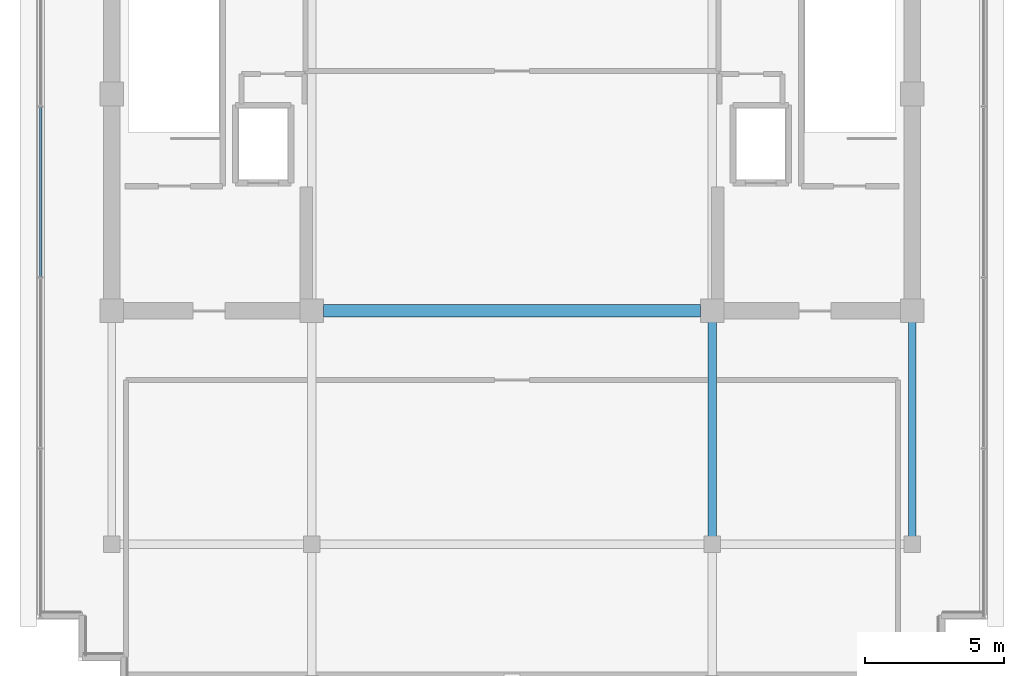
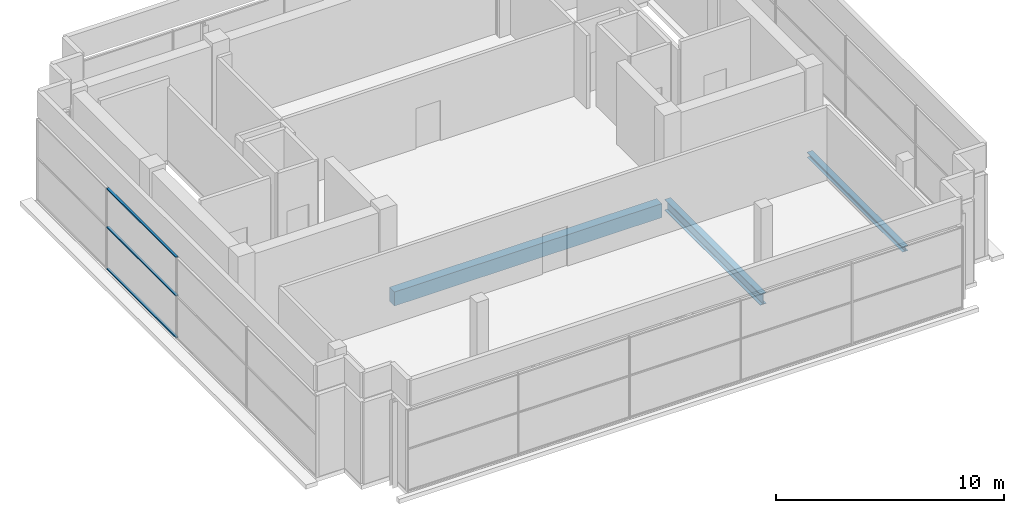
# One storey, part 10 of 22: 3 beams, 3 members, 1 element without a shape of its own.
"""IFC4 building model written with IfcOpenShell, lengths in metres."""

from ifc_helpers import new_model, si_unit, direction, frame, origin, origin_2d, place, context, subcontext, project, spatial, rectangle, hollow_rectangle, i_section, extrude, source, transform, mapped, material, layer, layer_set, material_profile, profile_set, type_object, element, aggregate, save


model = new_model("IFC4")

# Units and contexts
model_context = context("Model", 3, precision=1e-05, world=origin(), true_north=direction((0.0, 1.0)))
body_context = subcontext(model_context, "Body", "Model", "MODEL_VIEW")
ifc_project = project(units=[si_unit("LENGTHUNIT", "METRE"), si_unit("AREAUNIT", "SQUARE_METRE"), si_unit("VOLUMEUNIT", "CUBIC_METRE"), si_unit("PLANEANGLEUNIT", "RADIAN"), si_unit("MASSUNIT", "GRAM", prefix="KILO")], contexts=[model_context])

# Site, building, storey
site_placement = place(None, origin())
site = spatial("IfcSite", under=ifc_project, at=site_placement, CompositionType="ELEMENT")
building_placement = place(site_placement, origin())
building = spatial("IfcBuilding", under=site, at=building_placement, Name="Zarnakvel Exchange Tower", CompositionType="ELEMENT")
storey_placement = place(building_placement, frame((0.0, 0.0, 299.199951171875)))
storey = spatial("IfcBuildingStorey", under=building, at=storey_placement, Name="Crown L83", CompositionType="ELEMENT", Elevation=299.199951171875)

# Beams
ifc_material_1 = material(Name="Concrete C50/60", Category="concrete")
ifc_material_profile_1 = material_profile(ifc_material_1, rectangle(XDim=0.449951171875, YDim=0.75, at=origin_2d()))
ifc_profile_set_1 = profile_set([ifc_material_profile_1], Name="Concrete C50/60")
beam_type_1 = type_object("IfcBeamType", Name="CB-03", PredefinedType="LINTEL", material=ifc_profile_set_1)
beam_1_placement = place(storey_placement, frame((-6.77490234375, -1.199951171875, -0.594970703125), z_axis=(1.0, 0.0, 0.0), x_axis=(0.0, 1.0, 0.0)))
element("IfcBeam", 1, at=beam_1_placement, inside=storey, type_object=beam_type_1, Name="Crown L83 Rear Core South Coupling Beam (CB-03)", PredefinedType="LINTEL", context=body_context, shape_type="SweptSolid", body=[
    extrude(rectangle(XDim=0.449951171875, YDim=0.75, at=origin_2d()), origin(), (0.0, 0.0, 1.0), 13.5498046875),
])
ifc_material_2 = material(Name="Steel S355", Category="steel")
ifc_material_profile_2 = material_profile(ifc_material_2, i_section(OverallWidth=0.300048828125, OverallDepth=0.60009765625, WebThickness=0.015380859375, FlangeThickness=0.030029296875, FilletRadius=0.027099609375, at=origin_2d()))
ifc_profile_set_2 = profile_set([ifc_material_profile_2], Name="Steel S355")
beam_type_2 = type_object("IfcBeamType", Name="G-04", PredefinedType="BEAM", material=ifc_profile_set_2)
beam_2_placement = place(storey_placement, frame((7.199951171875, -9.60009765625, -0.52001953125), z_axis=(0.0, 1.0, 0.0), x_axis=(-1.0, 0.0, 0.0)))
element("IfcBeam", 2, at=beam_2_placement, inside=storey, type_object=beam_type_2, Name="Crown L83 Tower N-S Frame Beam", PredefinedType="BEAM", context=body_context, shape_type="SweptSolid", body=[
    extrude(i_section(OverallWidth=0.300048828125, OverallDepth=0.60009765625, WebThickness=0.015380859375, FlangeThickness=0.030029296875, FilletRadius=0.027099609375, at=origin_2d()), origin(), (0.0, 0.0, 1.0), 8.400146484375),
])
ifc_material_profile_3 = material_profile(ifc_material_2, i_section(OverallWidth=0.280029296875, OverallDepth=0.280029296875, WebThickness=0.010498046875, FlangeThickness=0.01806640625, FilletRadius=0.02392578125, at=origin_2d()))
ifc_profile_set_3 = profile_set([ifc_material_profile_3], Name="Steel S355")
beam_type_3 = type_object("IfcBeamType", Name="SP-04", PredefinedType="SPANDREL", material=ifc_profile_set_3)
beam_3_placement = place(storey_placement, frame((14.39990234375, -9.60009765625, -0.35986328125), z_axis=(0.0, 1.0, 0.0), x_axis=(-1.0, 0.0, 0.0)))
element("IfcBeam", 3, at=beam_3_placement, inside=storey, type_object=beam_type_3, Name="Crown L83 Tower N-S Frame Beam", PredefinedType="SPANDREL", context=body_context, shape_type="SweptSolid", body=[
    extrude(i_section(OverallWidth=0.280029296875, OverallDepth=0.280029296875, WebThickness=0.010498046875, FlangeThickness=0.01806640625, FilletRadius=0.02392578125, at=origin_2d()), origin(), (0.0, 0.0, 1.0), 8.400146484375),
])

# Curtain wall, members
ifc_material_3 = material(Name="Architectural Bronze Anodised Aluminium", Category="aluminium")
ifc_layer = layer(ifc_material_3, 0.14990234375)
ifc_layer_set = layer_set([ifc_layer], Name="Architectural Bronze Anodised Aluminium")
curtain_wall_type = type_object("IfcCurtainWallType", Name="CW-07", PredefinedType="NOTDEFINED", material=ifc_layer_set)
curtain_wall_placement = place(storey_placement, origin())
curtain_wall = element("IfcCurtainWall", 4, at=curtain_wall_placement, inside=storey, type_object=curtain_wall_type, Name="Crown L83 Curtain Wall CW-Crown L83-W (CW-07)", PredefinedType="NOTDEFINED")
ifc_material_profile_4 = material_profile(ifc_material_3, hollow_rectangle(XDim=0.1201171875, YDim=0.06005859375, WallThickness=0.00390625, at=origin_2d()))
ifc_profile_set_4 = profile_set([ifc_material_profile_4], Name="Architectural Bronze Anodised Aluminium")
member_type = type_object("IfcMemberType", Name="CWT-07", PredefinedType="USERDEFINED", material=ifc_profile_set_4)
shared_shape = source(origin(), body_context, "Body", "SweptSolid", [
    extrude(hollow_rectangle(XDim=0.1201171875, YDim=0.06005859375, WallThickness=0.00390625, at=origin_2d()), origin(), (0.0, 0.0, 1.0), 6.090087890625),
])
member_1_placement = place(storey_placement, frame((-16.9599609375, 0.030029296875, 0.030029296875), z_axis=(0.0, 1.0, 0.0), x_axis=(-1.0, 0.0, 0.0)))
member_1 = element("IfcMember", 5, at=member_1_placement, type_object=member_type, Name="CW-07 transom 3.1", ObjectType="TRANSOM", PredefinedType="USERDEFINED", context=body_context, shape_type="MappedRepresentation", body=[
    mapped(shared_shape, transform((0.0, 0.0, 0.0), x_axis=(1.0, 0.0, 0.0), y_axis=(0.0, 1.0, 0.0), z_axis=(0.0, 0.0, 1.0), scale=1.0)),
])
member_2_placement = place(storey_placement, frame((-16.9599609375, 0.030029296875, 2.267333984375), z_axis=(0.0, 1.0, 0.0), x_axis=(-1.0, 0.0, 0.0)))
member_2 = element("IfcMember", 6, at=member_2_placement, type_object=member_type, Name="CW-07 transom 3.2", ObjectType="TRANSOM", PredefinedType="USERDEFINED", context=body_context, shape_type="MappedRepresentation", body=[
    mapped(shared_shape, transform((0.0, 0.0, 0.0), x_axis=(1.0, 0.0, 0.0), y_axis=(0.0, 1.0, 0.0), z_axis=(0.0, 0.0, 1.0), scale=1.0)),
])
member_3_placement = place(storey_placement, frame((-16.9599609375, 0.030029296875, 4.330078125), z_axis=(0.0, 1.0, 0.0), x_axis=(-1.0, 0.0, 0.0)))
member_3 = element("IfcMember", 7, at=member_3_placement, type_object=member_type, Name="CW-07 transom 3.3", ObjectType="TRANSOM", PredefinedType="USERDEFINED", context=body_context, shape_type="MappedRepresentation", body=[
    mapped(shared_shape, transform((0.0, 0.0, 0.0), x_axis=(1.0, 0.0, 0.0), y_axis=(0.0, 1.0, 0.0), z_axis=(0.0, 0.0, 1.0), scale=1.0)),
])
aggregate(curtain_wall, [member_1, member_2, member_3])

save(model, "model.ifc")
